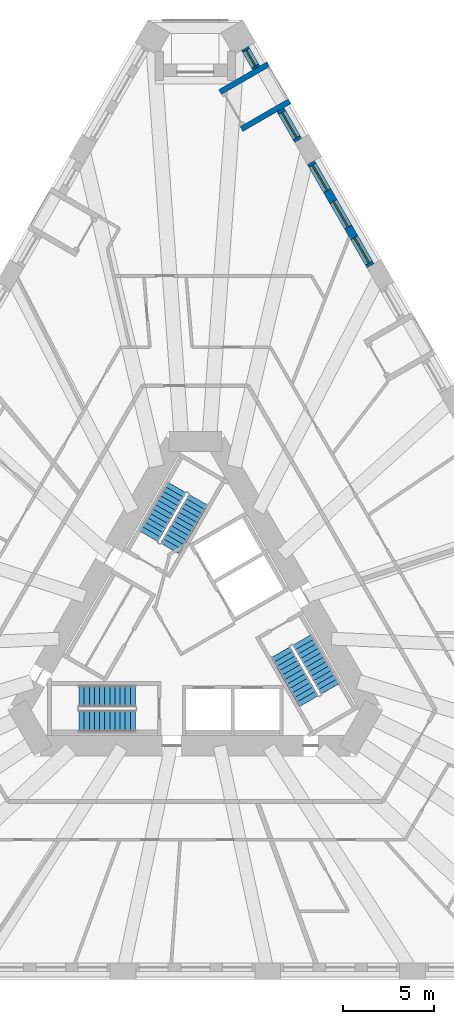
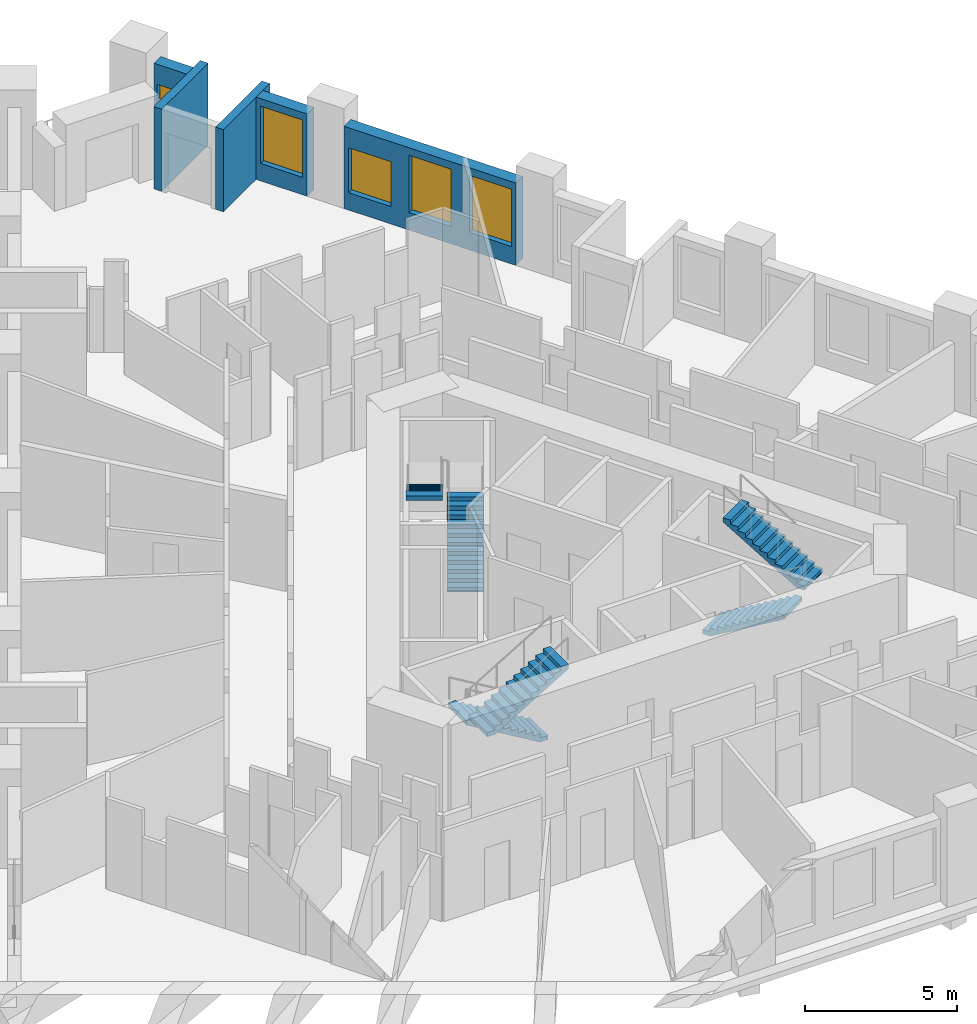
# One storey, part 10 of 14: 6 stair flights, 5 walls, 5 windows, 5 openings, 3 elements without a shape of their own.
"""IFC4 building model written with IfcOpenShell, lengths in metres."""

from ifc_helpers import new_model, si_unit, direction, frame, frame_2d, origin, place, context, subcontext, project, spatial, polyline, rectangle, outline, extrude, material, layer, layer_set, type_object, element, fill, aggregate, save


model = new_model("IFC4")

# Units and contexts
model_context = context("Model", 3, precision=1e-05, world=origin(), true_north=direction((0.0, 1.0)))
body_context = subcontext(model_context, "Body", "Model", "MODEL_VIEW")
ifc_project = project(units=[si_unit("LENGTHUNIT", "METRE"), si_unit("AREAUNIT", "SQUARE_METRE"), si_unit("VOLUMEUNIT", "CUBIC_METRE"), si_unit("PLANEANGLEUNIT", "RADIAN"), si_unit("MASSUNIT", "GRAM", prefix="KILO")], contexts=[model_context])

# Site, building, storey
site_placement = place(None, origin())
site = spatial("IfcSite", under=ifc_project, at=site_placement, CompositionType="ELEMENT")
building_placement = place(site_placement, origin())
building = spatial("IfcBuilding", under=site, at=building_placement, Name="Tramontana Tower", CompositionType="ELEMENT")
storey_placement = place(building_placement, frame((0.0, 0.0, 42.0)))
storey = spatial("IfcBuildingStorey", under=building, at=storey_placement, Name="L08", CompositionType="ELEMENT", Elevation=42.0)

# Wall, openings, windows
ifc_material_1 = material(Name="Precast concrete 60 MPa", Category="concrete")
ifc_layer_1 = layer(ifc_material_1, 0.449951171875)
ifc_layer_set_1 = layer_set([ifc_layer_1], Name="Precast concrete 60 MPa, 450 mm")
wall_type_1 = type_object("IfcWallType", Name="EW1 Stone-faced precast wall 450", PredefinedType="SOLIDWALL", material=ifc_layer_set_1)
wall_1_placement = place(storey_placement, frame((9.58154296875, 20.054443359375, 0.0), z_axis=(0.0, 0.0, 1.0), x_axis=(-0.500002371706, 0.866024034475, 0.0)))
wall_1 = element("IfcWall", 1, at=wall_1_placement, inside=storey, type_object=wall_type_1, Name="External wall L08 face 2 bay 6", PredefinedType="SOLIDWALL", context=body_context, shape_type="SweptSolid", body=[
    extrude(rectangle(XDim=6.51806640625, YDim=0.449951171875, at=frame_2d((3.259033203125, 0.0))), origin(), (0.0, 0.0, 1.0), 3.300048828125),
])
opening_1_placement = place(wall_1_placement, frame((0.169677734375, 0.0, 0.699951171875)))
opening_1 = element("IfcOpeningElement", 2, at=opening_1_placement, cuts=wall_1, Name="Opening M1", PredefinedType="OPENING", context=body_context, shape_type="SweptSolid", body=[
    extrude(rectangle(XDim=1.60009765625, YDim=2.300048828125, at=frame_2d((0.800048828125, 1.14990234375))), frame((0.0, 0.23486328125, 0.0), z_axis=(0.0, -1.0, 0.0), x_axis=(1.0, 0.0, 0.0)), (0.0, 0.0, 1.0), 0.469970703125),
])
opening_2_placement = place(wall_1_placement, frame((2.458984375, 0.0, 0.699951171875)))
opening_2 = element("IfcOpeningElement", 3, at=opening_2_placement, cuts=wall_1, Name="Opening M1", PredefinedType="OPENING", context=body_context, shape_type="SweptSolid", body=[
    extrude(rectangle(XDim=1.60009765625, YDim=2.300048828125, at=frame_2d((0.800048828125, 1.14990234375))), frame((0.0, 0.23486328125, 0.0), z_axis=(0.0, -1.0, 0.0), x_axis=(1.0, 0.0, 0.0)), (0.0, 0.0, 1.0), 0.469970703125),
])
opening_3_placement = place(wall_1_placement, frame((4.748291015625, 0.0, 0.699951171875)))
opening_3 = element("IfcOpeningElement", 4, at=opening_3_placement, cuts=wall_1, Name="Opening M1L", PredefinedType="OPENING", context=body_context, shape_type="SweptSolid", body=[
    extrude(rectangle(XDim=1.60009765625, YDim=1.800048828125, at=frame_2d((0.800048828125, 0.89990234375))), frame((0.0, 0.23486328125, 0.0), z_axis=(0.0, -1.0, 0.0), x_axis=(1.0, 0.0, 0.0)), (0.0, 0.0, 1.0), 0.469970703125),
])
ifc_material_2 = material(Name="Aluminum frame, double glazing unit", Category="aluminium")
window_type_1 = type_object("IfcWindowType", Name="M1 Window 1.6 x 2.3", PartitioningType="SINGLE_PANEL", PredefinedType="WINDOW", material=ifc_material_2)
window_1_placement = place(opening_1_placement, origin())
window_1 = element("IfcWindow", 5, at=window_1_placement, inside=storey, type_object=window_type_1, Name="Window M1 L08 face 2 module 16", OverallHeight=2.300048828125, OverallWidth=1.60009765625, PartitioningType="SINGLE_PANEL", PredefinedType="WINDOW", context=body_context, shape_type="SweptSolid", body=[
    extrude(rectangle(XDim=1.60009765625, YDim=2.300048828125, at=frame_2d((0.800048828125, 1.14990234375))), frame((0.0, 0.030029296875, 0.0), z_axis=(0.0, -1.0, 0.0), x_axis=(1.0, 0.0, 0.0)), (0.0, 0.0, 1.0), 0.06005859375),
])
fill(opening_1, window_1)
window_2_placement = place(opening_2_placement, origin())
window_2 = element("IfcWindow", 6, at=window_2_placement, inside=storey, type_object=window_type_1, Name="Window M1 L08 face 2 module 17", OverallHeight=2.300048828125, OverallWidth=1.60009765625, PartitioningType="SINGLE_PANEL", PredefinedType="WINDOW", context=body_context, shape_type="SweptSolid", body=[
    extrude(rectangle(XDim=1.60009765625, YDim=2.300048828125, at=frame_2d((0.800048828125, 1.14990234375))), frame((0.0, 0.030029296875, 0.0), z_axis=(0.0, -1.0, 0.0), x_axis=(1.0, 0.0, 0.0)), (0.0, 0.0, 1.0), 0.06005859375),
])
fill(opening_2, window_2)
ifc_material_3 = material(Name="Aluminum frame, double glazing unit", Category="aluminium")
window_type_2 = type_object("IfcWindowType", Name="M1L Window 1.6 x 1.8", PartitioningType="SINGLE_PANEL", PredefinedType="WINDOW", material=ifc_material_3)
window_3_placement = place(opening_3_placement, origin())
window_3 = element("IfcWindow", 7, at=window_3_placement, inside=storey, type_object=window_type_2, Name="Window M1L L08 face 2 module 18", OverallHeight=1.800048828125, OverallWidth=1.60009765625, PartitioningType="SINGLE_PANEL", PredefinedType="WINDOW", context=body_context, shape_type="SweptSolid", body=[
    extrude(rectangle(XDim=1.60009765625, YDim=1.800048828125, at=frame_2d((0.800048828125, 0.89990234375))), frame((0.0, 0.030029296875, 0.0), z_axis=(0.0, -1.0, 0.0), x_axis=(1.0, 0.0, 0.0)), (0.0, 0.0, 1.0), 0.06005859375),
])
fill(opening_3, window_3)

# Wall, opening, window
wall_2_placement = place(storey_placement, frame((5.62255859375, 26.91162109375, 0.0), z_axis=(0.0, 0.0, 1.0), x_axis=(-0.500038474733, 0.866003189247, 0.0)))
wall_2 = element("IfcWall", 8, at=wall_2_placement, inside=storey, type_object=wall_type_1, Name="External wall L08 face 2 bay 7", PredefinedType="SOLIDWALL", context=body_context, shape_type="SweptSolid", body=[
    extrude(rectangle(XDim=1.939208984375, YDim=0.449951171875, at=frame_2d((0.9697265625, 0.0))), origin(), (0.0, 0.0, 1.0), 3.300048828125),
])
opening_4_placement = place(wall_2_placement, frame((0.169677734375, 0.0, 0.699951171875)))
opening_4 = element("IfcOpeningElement", 9, at=opening_4_placement, cuts=wall_2, Name="Opening M1", PredefinedType="OPENING", context=body_context, shape_type="SweptSolid", body=[
    extrude(rectangle(XDim=1.60009765625, YDim=2.300048828125, at=frame_2d((0.800048828125, 1.14990234375))), frame((0.0, 0.23486328125, 0.0), z_axis=(0.0, -1.0, 0.0), x_axis=(1.0, 0.0, 0.0)), (0.0, 0.0, 1.0), 0.469970703125),
])
window_4_placement = place(opening_4_placement, origin())
window_4 = element("IfcWindow", 10, at=window_4_placement, inside=storey, type_object=window_type_1, Name="Window M1 L08 face 2 module 19", OverallHeight=2.300048828125, OverallWidth=1.60009765625, PartitioningType="SINGLE_PANEL", PredefinedType="WINDOW", context=body_context, shape_type="SweptSolid", body=[
    extrude(rectangle(XDim=1.60009765625, YDim=2.300048828125, at=frame_2d((0.800048828125, 1.14990234375))), frame((0.0, 0.030029296875, 0.0), z_axis=(0.0, -1.0, 0.0), x_axis=(1.0, 0.0, 0.0)), (0.0, 0.0, 1.0), 0.06005859375),
])
fill(opening_4, window_4)

wall_3_placement = place(storey_placement, frame((3.333251953125, 30.876708984375, 0.0), z_axis=(0.0, 0.0, 1.0), x_axis=(-0.499995303914, 0.866028115054, 0.0)))
wall_3 = element("IfcWall", 11, at=wall_3_placement, inside=storey, type_object=wall_type_1, Name="External wall L08 face 2 bay 7", PredefinedType="SOLIDWALL", context=body_context, shape_type="SweptSolid", body=[
    extrude(rectangle(XDim=1.2392578125, YDim=0.449951171875, at=frame_2d((0.61962890625, 0.0))), origin(), (0.0, 0.0, 1.0), 3.300048828125),
])
opening_5_placement = place(wall_3_placement, frame((0.11962890625, 0.0, 0.699951171875)))
opening_5 = element("IfcOpeningElement", 12, at=opening_5_placement, cuts=wall_3, Name="Opening N1L", PredefinedType="OPENING", context=body_context, shape_type="SweptSolid", body=[
    extrude(rectangle(XDim=1.0, YDim=1.800048828125, at=frame_2d((0.5, 0.89990234375))), frame((0.0, 0.23486328125, 0.0), z_axis=(0.0, -1.0, 0.0), x_axis=(1.0, 0.0, 0.0)), (0.0, 0.0, 1.0), 0.469970703125),
])
ifc_material_4 = material(Name="Aluminum frame, double glazing unit", Category="aluminium")
window_type_3 = type_object("IfcWindowType", Name="N1L Window 1 x 1.8", PartitioningType="SINGLE_PANEL", PredefinedType="WINDOW", material=ifc_material_4)
window_5_placement = place(opening_5_placement, origin())
window_5 = element("IfcWindow", 13, at=window_5_placement, inside=storey, type_object=window_type_3, Name="Window N1L L08 face 2 module 21", OverallHeight=1.800048828125, OverallWidth=1.0, PartitioningType="SINGLE_PANEL", PredefinedType="WINDOW", context=body_context, shape_type="SweptSolid", body=[
    extrude(rectangle(XDim=1.0, YDim=1.800048828125, at=frame_2d((0.5, 0.89990234375))), frame((0.0, 0.030029296875, 0.0), z_axis=(0.0, -1.0, 0.0), x_axis=(1.0, 0.0, 0.0)), (0.0, 0.0, 1.0), 0.06005859375),
])
fill(opening_5, window_5)

# Walls
ifc_material_5 = material(Name="Precast concrete 60 MPa", Category="concrete")
ifc_layer_2 = layer(ifc_material_5, 0.300048828125)
ifc_layer_set_2 = layer_set([ifc_layer_2], Name="LW1 Stone-faced loggia wall 300")
wall_type_2 = type_object("IfcWallType", Name="LW1 Stone-faced loggia wall 300", PredefinedType="SOLIDWALL", material=ifc_layer_set_2)
for number, where, z_axis, x_axis, name in (
    (14, (5.162353515625, 29.05859375, 0.0), (0.0, 0.0, 1.0), (-0.8660029625, -0.500038867431, 0.0), "Loggia return L08 G0S2.19a"),
    (15, (3.99267578125, 31.08447265625, 0.0), (0.0, 0.0, 1.0), (-0.8660029625, -0.500038867431, 0.0), "Loggia return L08 G0S2.19b"),
):
    element("IfcWall", number, at=place(storey_placement, frame(where, z_axis=z_axis, x_axis=x_axis)), inside=storey, type_object=wall_type_2, Name=name, PredefinedType="SOLIDWALL", context=body_context, shape_type="SweptSolid", body=[
        extrude(rectangle(XDim=3.050048828125, YDim=0.300048828125, at=frame_2d((1.52490234375, 0.0))), origin(), (0.0, 0.0, 1.0), 3.300048828125),
    ])

# Stair, stair flights
ifc_material_6 = material(Name="Concrete 40 MPa", Category="concrete")
stair_type = type_object("IfcStairType", Name="EXIT STAIR 24 RISERS", PredefinedType="HALF_TURN_STAIR", material=ifc_material_6)
stair_1_placement = place(storey_placement, origin())
stair_1 = element("IfcStair", 16, at=stair_1_placement, inside=storey, type_object=stair_type, Name="L08 Exit stair ST1", PredefinedType="HALF_TURN_STAIR")
ifc_material_7 = material(Name="Concrete 40 MPa", Category="concrete")
ifc_layer_3 = layer(ifc_material_7, 0.14990234375)
ifc_layer_set_3 = layer_set([ifc_layer_3], Name="EXIT STAIR FLIGHT")
stair_flight_type = type_object("IfcStairFlightType", Name="EXIT STAIR FLIGHT", PredefinedType="STRAIGHT", material=ifc_layer_set_3)
stair_flight_1_placement = place(storey_placement, frame((-1.39111328125, 4.590576171875, 0.0), z_axis=(0.0, 0.0, 1.0), x_axis=(0.5, 0.866025403784, 0.0)))
stair_flight_1 = element("IfcStairFlight", 17, at=stair_flight_1_placement, type_object=stair_flight_type, Name="ST1 flight 1", NumberOfRisers=12, NumberOfTreads=11, PredefinedType="STRAIGHT", RiserHeight=0.166666667, TreadLength=0.28, context=body_context, shape_type="SweptSolid", body=[
    extrude(outline(polyline([(-0.006103515625, 0.0), (-0.006103515625, 0.0400390625), (0.0, 0.0400390625), (0.0, 0.166748046875), (0.280029296875, 0.166748046875), (0.280029296875, 0.333251953125), (0.56005859375, 0.333251953125), (0.56005859375, 0.5), (0.840087890625, 0.5), (0.840087890625, 0.666748046875), (1.1201171875, 0.666748046875), (1.1201171875, 0.833251953125), (1.39990234375, 0.833251953125), (1.39990234375, 1.0), (1.679931640625, 1.0), (1.679931640625, 1.166748046875), (1.9599609375, 1.166748046875), (1.9599609375, 1.333251953125), (2.239990234375, 1.333251953125), (2.239990234375, 1.5), (2.52001953125, 1.5), (2.52001953125, 1.666748046875), (2.800048828125, 1.666748046875), (2.800048828125, 1.833251953125), (3.080078125, 1.833251953125), (3.0859375, 1.833251953125), (3.0859375, 1.658935546875), (0.299072265625, 0.0), (-0.006103515625, 0.0)])), frame((0.0, 0.60009765625, 0.0), z_axis=(0.0, -1.0, 0.0), x_axis=(1.0, 0.0, 0.0)), (0.0, 0.0, 1.0), 1.199951171875),
])
stair_flight_2_placement = place(storey_placement, frame((-1.020263671875, 7.932861328125, 2.0), z_axis=(0.0, 0.0, 1.0), x_axis=(-0.5, -0.866025403784, 0.0)))
stair_flight_2 = element("IfcStairFlight", 18, at=stair_flight_2_placement, type_object=stair_flight_type, Name="ST1 flight 2", NumberOfRisers=12, NumberOfTreads=11, PredefinedType="STRAIGHT", RiserHeight=0.166666667, TreadLength=0.28, context=body_context, shape_type="SweptSolid", body=[
    extrude(outline(polyline([(-0.006103515625, 0.0), (-0.006103515625, 0.0400390625), (0.0, 0.0400390625), (0.0, 0.166748046875), (0.280029296875, 0.166748046875), (0.280029296875, 0.333251953125), (0.56005859375, 0.333251953125), (0.56005859375, 0.5), (0.840087890625, 0.5), (0.840087890625, 0.666748046875), (1.1201171875, 0.666748046875), (1.1201171875, 0.833251953125), (1.39990234375, 0.833251953125), (1.39990234375, 1.0), (1.679931640625, 1.0), (1.679931640625, 1.166748046875), (1.9599609375, 1.166748046875), (1.9599609375, 1.333251953125), (2.239990234375, 1.333251953125), (2.239990234375, 1.5), (2.52001953125, 1.5), (2.52001953125, 1.666748046875), (2.800048828125, 1.666748046875), (2.800048828125, 1.833251953125), (3.080078125, 1.833251953125), (3.0859375, 1.833251953125), (3.0859375, 1.658935546875), (0.299072265625, 0.0), (-0.006103515625, 0.0)])), frame((0.0, 0.60009765625, 0.0), z_axis=(0.0, -1.0, 0.0), x_axis=(1.0, 0.0, 0.0)), (0.0, 0.0, 1.0), 1.199951171875),
])
aggregate(stair_1, [stair_flight_1, stair_flight_2])

stair_2_placement = place(storey_placement, origin())
stair_2 = element("IfcStair", 19, at=stair_2_placement, inside=storey, type_object=stair_type, Name="L08 Exit stair ST2", PredefinedType="HALF_TURN_STAIR")
stair_flight_3_placement = place(storey_placement, frame((-3.280029296875, -3.5, 0.0), z_axis=(0.0, 0.0, 1.0), x_axis=(-1.0, 0.0, 0.0)))
stair_flight_3 = element("IfcStairFlight", 20, at=stair_flight_3_placement, type_object=stair_flight_type, Name="ST2 flight 1", NumberOfRisers=12, NumberOfTreads=11, PredefinedType="STRAIGHT", RiserHeight=0.166666667, TreadLength=0.28, context=body_context, shape_type="SweptSolid", body=[
    extrude(outline(polyline([(-0.006103515625, 0.0), (-0.006103515625, 0.0400390625), (0.0, 0.0400390625), (0.0, 0.166748046875), (0.280029296875, 0.166748046875), (0.280029296875, 0.333251953125), (0.56005859375, 0.333251953125), (0.56005859375, 0.5), (0.840087890625, 0.5), (0.840087890625, 0.666748046875), (1.1201171875, 0.666748046875), (1.1201171875, 0.833251953125), (1.39990234375, 0.833251953125), (1.39990234375, 1.0), (1.679931640625, 1.0), (1.679931640625, 1.166748046875), (1.9599609375, 1.166748046875), (1.9599609375, 1.333251953125), (2.239990234375, 1.333251953125), (2.239990234375, 1.5), (2.52001953125, 1.5), (2.52001953125, 1.666748046875), (2.800048828125, 1.666748046875), (2.800048828125, 1.833251953125), (3.080078125, 1.833251953125), (3.0859375, 1.833251953125), (3.0859375, 1.658935546875), (0.299072265625, 0.0), (-0.006103515625, 0.0)])), frame((0.0, 0.60009765625, 0.0), z_axis=(0.0, -1.0, 0.0), x_axis=(1.0, 0.0, 0.0)), (0.0, 0.0, 1.0), 1.199951171875),
])
stair_flight_4_placement = place(storey_placement, frame((-6.360107421875, -4.85009765625, 2.0), z_axis=(0.0, 0.0, 1.0), x_axis=(1.0, 0.0, 0.0)))
stair_flight_4 = element("IfcStairFlight", 21, at=stair_flight_4_placement, type_object=stair_flight_type, Name="ST2 flight 2", NumberOfRisers=12, NumberOfTreads=11, PredefinedType="STRAIGHT", RiserHeight=0.166666667, TreadLength=0.28, context=body_context, shape_type="SweptSolid", body=[
    extrude(outline(polyline([(-0.006103515625, 0.0), (-0.006103515625, 0.0400390625), (0.0, 0.0400390625), (0.0, 0.166748046875), (0.280029296875, 0.166748046875), (0.280029296875, 0.333251953125), (0.56005859375, 0.333251953125), (0.56005859375, 0.5), (0.840087890625, 0.5), (0.840087890625, 0.666748046875), (1.1201171875, 0.666748046875), (1.1201171875, 0.833251953125), (1.39990234375, 0.833251953125), (1.39990234375, 1.0), (1.679931640625, 1.0), (1.679931640625, 1.166748046875), (1.9599609375, 1.166748046875), (1.9599609375, 1.333251953125), (2.239990234375, 1.333251953125), (2.239990234375, 1.5), (2.52001953125, 1.5), (2.52001953125, 1.666748046875), (2.800048828125, 1.666748046875), (2.800048828125, 1.833251953125), (3.080078125, 1.833251953125), (3.0859375, 1.833251953125), (3.0859375, 1.658935546875), (0.299072265625, 0.0), (-0.006103515625, 0.0)])), frame((0.0, 0.60009765625, 0.0), z_axis=(0.0, -1.0, 0.0), x_axis=(1.0, 0.0, 0.0)), (0.0, 0.0, 1.0), 1.199951171875),
])
aggregate(stair_2, [stair_flight_3, stair_flight_4])

stair_3_placement = place(storey_placement, origin())
stair_3 = element("IfcStair", 22, at=stair_3_placement, inside=storey, type_object=stair_type, Name="L08 Exit stair ST3", PredefinedType="HALF_TURN_STAIR")
stair_flight_5_placement = place(storey_placement, frame((4.671142578125, -1.090576171875, 0.0), z_axis=(0.0, 0.0, 1.0), x_axis=(0.5, -0.866025403784, 0.0)))
stair_flight_5 = element("IfcStairFlight", 23, at=stair_flight_5_placement, type_object=stair_flight_type, Name="ST3 flight 1", NumberOfRisers=12, NumberOfTreads=11, PredefinedType="STRAIGHT", RiserHeight=0.166666667, TreadLength=0.28, context=body_context, shape_type="SweptSolid", body=[
    extrude(outline(polyline([(-0.006103515625, 0.0), (-0.006103515625, 0.0400390625), (0.0, 0.0400390625), (0.0, 0.166748046875), (0.280029296875, 0.166748046875), (0.280029296875, 0.333251953125), (0.56005859375, 0.333251953125), (0.56005859375, 0.5), (0.840087890625, 0.5), (0.840087890625, 0.666748046875), (1.1201171875, 0.666748046875), (1.1201171875, 0.833251953125), (1.39990234375, 0.833251953125), (1.39990234375, 1.0), (1.679931640625, 1.0), (1.679931640625, 1.166748046875), (1.9599609375, 1.166748046875), (1.9599609375, 1.333251953125), (2.239990234375, 1.333251953125), (2.239990234375, 1.5), (2.52001953125, 1.5), (2.52001953125, 1.666748046875), (2.800048828125, 1.666748046875), (2.800048828125, 1.833251953125), (3.080078125, 1.833251953125), (3.0859375, 1.833251953125), (3.0859375, 1.658935546875), (0.299072265625, 0.0), (-0.006103515625, 0.0)])), frame((0.0, 0.60009765625, 0.0), z_axis=(0.0, -1.0, 0.0), x_axis=(1.0, 0.0, 0.0)), (0.0, 0.0, 1.0), 1.199951171875),
])
stair_flight_6_placement = place(storey_placement, frame((7.380126953125, -3.0830078125, 2.0), z_axis=(0.0, 0.0, 1.0), x_axis=(-0.5, 0.866025403784, 0.0)))
stair_flight_6 = element("IfcStairFlight", 24, at=stair_flight_6_placement, type_object=stair_flight_type, Name="ST3 flight 2", NumberOfRisers=12, NumberOfTreads=11, PredefinedType="STRAIGHT", RiserHeight=0.166666667, TreadLength=0.28, context=body_context, shape_type="SweptSolid", body=[
    extrude(outline(polyline([(-0.006103515625, 0.0), (-0.006103515625, 0.0400390625), (0.0, 0.0400390625), (0.0, 0.166748046875), (0.280029296875, 0.166748046875), (0.280029296875, 0.333251953125), (0.56005859375, 0.333251953125), (0.56005859375, 0.5), (0.840087890625, 0.5), (0.840087890625, 0.666748046875), (1.1201171875, 0.666748046875), (1.1201171875, 0.833251953125), (1.39990234375, 0.833251953125), (1.39990234375, 1.0), (1.679931640625, 1.0), (1.679931640625, 1.166748046875), (1.9599609375, 1.166748046875), (1.9599609375, 1.333251953125), (2.239990234375, 1.333251953125), (2.239990234375, 1.5), (2.52001953125, 1.5), (2.52001953125, 1.666748046875), (2.800048828125, 1.666748046875), (2.800048828125, 1.833251953125), (3.080078125, 1.833251953125), (3.0859375, 1.833251953125), (3.0859375, 1.658935546875), (0.299072265625, 0.0), (-0.006103515625, 0.0)])), frame((0.0, 0.60009765625, 0.0), z_axis=(0.0, -1.0, 0.0), x_axis=(1.0, 0.0, 0.0)), (0.0, 0.0, 1.0), 1.199951171875),
])
aggregate(stair_3, [stair_flight_5, stair_flight_6])

save(model, "model.ifc")
